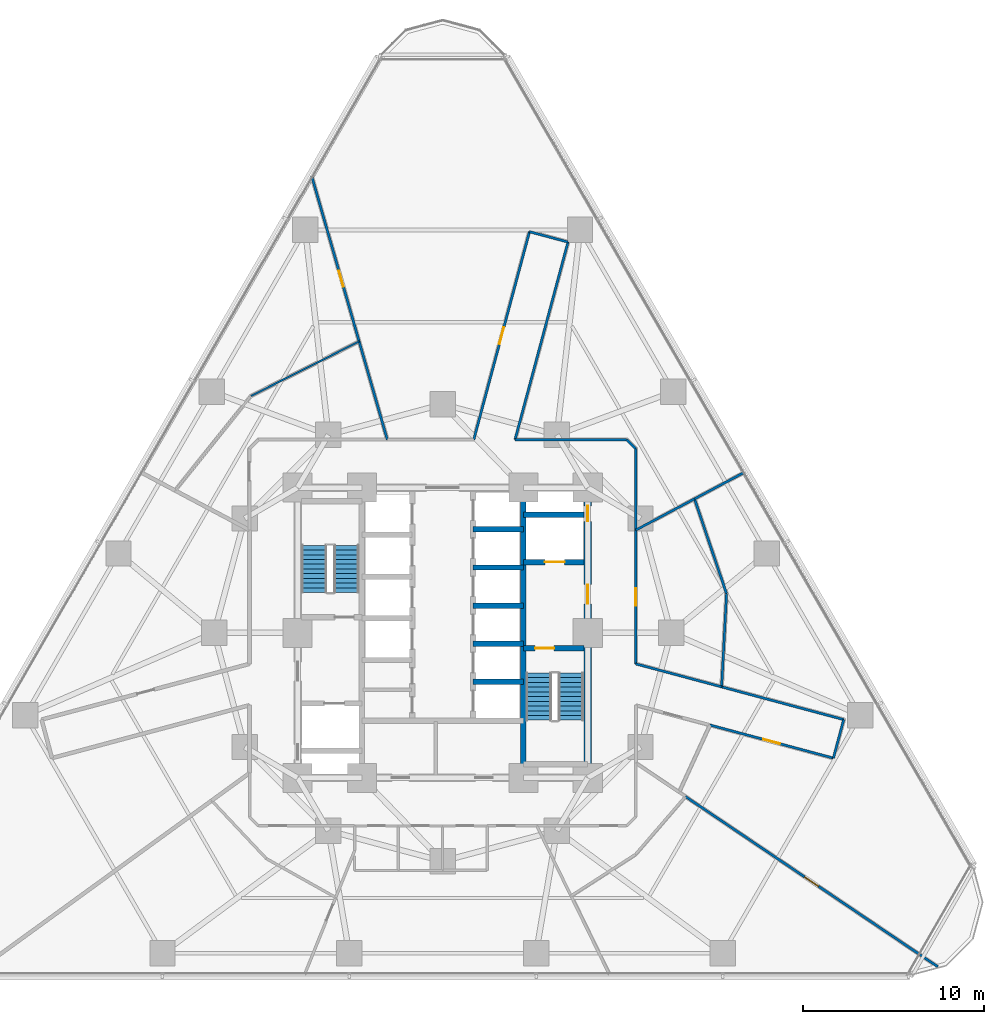
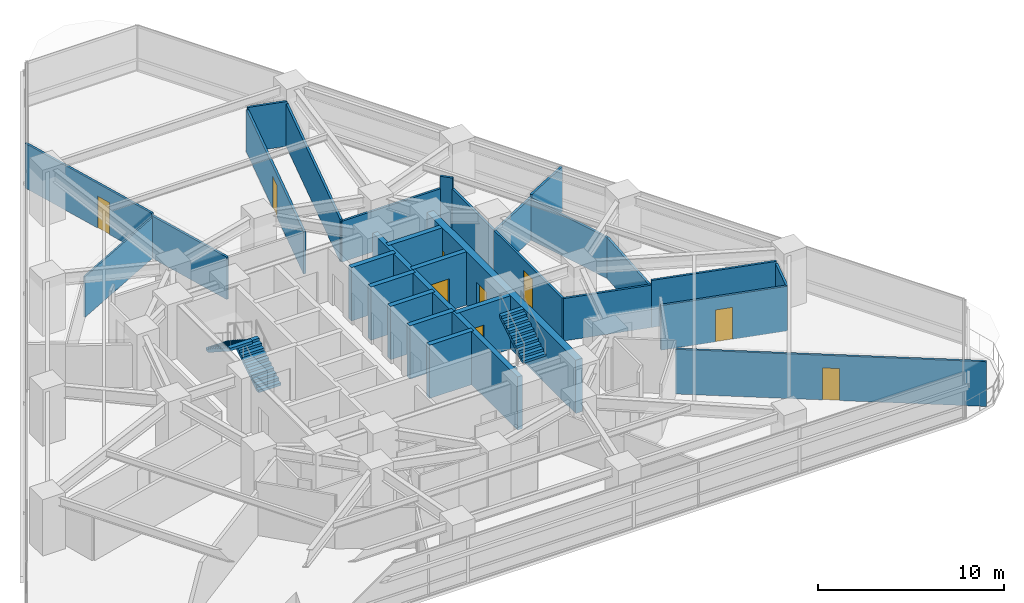
# One storey, part 10 of 16: 29 walls, 9 doors, 4 stair flights, 9 openings, 2 elements without a shape of their own.
"""IFC4 building model written with IfcOpenShell, lengths in metres."""

from ifc_helpers import new_model, si_unit, direction, frame, frame_2d, origin, place, context, subcontext, project, spatial, polyline, rectangle, outline, extrude, material, layer, layer_set, type_object, element, fill, aggregate, save


model = new_model("IFC4")

# Units and contexts
model_context = context("Model", 3, precision=1e-05, world=origin(), true_north=direction((0.0, 1.0)))
body_context = subcontext(model_context, "Body", "Model", "MODEL_VIEW")
ifc_project = project(units=[si_unit("LENGTHUNIT", "METRE"), si_unit("AREAUNIT", "SQUARE_METRE"), si_unit("VOLUMEUNIT", "CUBIC_METRE"), si_unit("PLANEANGLEUNIT", "RADIAN"), si_unit("MASSUNIT", "GRAM", prefix="KILO")], contexts=[model_context])

# Site, building, storey
site_placement = place(None, origin())
site = spatial("IfcSite", under=ifc_project, at=site_placement, CompositionType="ELEMENT")
building_placement = place(site_placement, origin())
building = spatial("IfcBuilding", under=site, at=building_placement, Name="Terralouvre Media Tower", CompositionType="ELEMENT")
storey_placement = place(building_placement, frame((0.0, 0.0, 37.10009765625)))
storey = spatial("IfcBuildingStorey", under=building, at=storey_placement, Name="L08", CompositionType="ELEMENT", Elevation=37.10009765625)

# Wall
ifc_material_1 = material(Name="Concrete C50/60", Category="concrete")
ifc_layer_1 = layer(ifc_material_1, 0.300048828125, Name="Core Internal Shaft Wall CW-300")
ifc_layer_set_1 = layer_set([ifc_layer_1], Name="Concrete C50/60")
wall_type_1 = type_object("IfcWallType", Name="Core Internal Shaft Wall CW-300", PredefinedType="SHEAR", material=ifc_layer_set_1)
wall_1_placement = place(storey_placement, frame((4.449951171875, -7.7900390625, 0.0), z_axis=(0.0, 0.0, 1.0), x_axis=(0.0, 1.0, 0.0)))
element("IfcWall", 1, at=wall_1_placement, inside=storey, type_object=wall_type_1, Name="L08 Core Shaft Wall SPE", PredefinedType="SHEAR", context=body_context, shape_type="SweptSolid", body=[
    extrude(rectangle(XDim=15.580078125, YDim=0.300048828125, at=frame_2d((7.7900390625, 0.0))), origin(), (0.0, 0.0, 1.0), 3.5),
])

# Wall, opening, door
wall_2_placement = place(storey_placement, frame((4.449951171875, -0.85009765625, 0.0), z_axis=(0.0, 0.0, 1.0), x_axis=(1.0, 0.0, 0.0)))
wall_2 = element("IfcWall", 2, at=wall_2_placement, inside=storey, type_object=wall_type_1, Name="L08 Core Shaft Wall ST2D", PredefinedType="SHEAR", context=body_context, shape_type="SweptSolid", body=[
    extrude(rectangle(XDim=3.340087890625, YDim=0.300048828125, at=frame_2d((1.669921875, 0.0))), origin(), (0.0, 0.0, 1.0), 3.5),
])
opening_1_placement = place(wall_2_placement, frame((0.64990234375, 0.0, 0.0)))
opening_1 = element("IfcOpeningElement", 3, at=opening_1_placement, cuts=wall_2, Name="Opening FD-01-105X215", PredefinedType="OPENING", context=body_context, shape_type="SweptSolid", body=[
    extrude(rectangle(XDim=1.050048828125, YDim=2.14990234375, at=frame_2d((0.52490234375, 1.074951171875))), frame((0.0, 0.159912109375, 0.0), z_axis=(0.0, -1.0, 0.0), x_axis=(1.0, 0.0, 0.0)), (0.0, 0.0, 1.0), 0.320068359375),
])
ifc_material_2 = material(Name="Galvanised steel fire-resisting leaf", Category="steel")
door_type_1 = type_object("IfcDoorType", Name="Stair and Firefighting Lobby Fire Door FD-01 (1050x2150)", OperationType="NOTDEFINED", PredefinedType="DOOR", material=ifc_material_2)
door_1_placement = place(opening_1_placement, origin())
door_1 = element("IfcDoor", 4, at=door_1_placement, inside=storey, type_object=door_type_1, Name="L08 ST-02 Exit Stair Door", OperationType="SINGLE_SWING_RIGHT", OverallHeight=2.14990234375, OverallWidth=1.050048828125, PredefinedType="DOOR", context=body_context, shape_type="SweptSolid", body=[
    extrude(rectangle(XDim=1.050048828125, YDim=2.14990234375, at=frame_2d((0.52490234375, 1.074951171875))), frame((0.0, 0.02490234375, 0.0), z_axis=(0.0, -1.0, 0.0), x_axis=(1.0, 0.0, 0.0)), (0.0, 0.0, 1.0), 0.050048828125),
])
fill(opening_1, door_1)

wall_3_placement = place(storey_placement, frame((4.449951171875, 3.89990234375, 0.0), z_axis=(0.0, 0.0, 1.0), x_axis=(1.0, 0.0, 0.0)))
wall_3 = element("IfcWall", 5, at=wall_3_placement, inside=storey, type_object=wall_type_1, Name="L08 Core Shaft Wall FF2S", PredefinedType="SHEAR", context=body_context, shape_type="SweptSolid", body=[
    extrude(rectangle(XDim=3.340087890625, YDim=0.300048828125, at=frame_2d((1.669921875, 0.0))), origin(), (0.0, 0.0, 1.0), 3.5),
])
opening_2_placement = place(wall_3_placement, frame((1.179931640625, 0.0, 0.0)))
opening_2 = element("IfcOpeningElement", 6, at=opening_2_placement, cuts=wall_3, Name="Opening LD-FF", PredefinedType="OPENING", context=body_context, shape_type="SweptSolid", body=[
    extrude(rectangle(XDim=1.10009765625, YDim=2.10009765625, at=frame_2d((0.550048828125, 1.050048828125))), frame((0.0, 0.159912109375, 0.0), z_axis=(0.0, -1.0, 0.0), x_axis=(1.0, 0.0, 0.0)), (0.0, 0.0, 1.0), 0.320068359375),
])
ifc_material_3 = material(Name="Stainless steel 316 handrail and balustrade", Category="steel")
door_type_2 = type_object("IfcDoorType", Name="Firefighting Lift Sliding Landing Door LD-FF", OperationType="SLIDING_TO_LEFT", PredefinedType="DOOR", material=ifc_material_3)
door_2_placement = place(opening_2_placement, origin())
door_2 = element("IfcDoor", 7, at=door_2_placement, inside=storey, type_object=door_type_2, Name="L08 Firefighting Lift FFL-02 Landing Door", OperationType="SLIDING_TO_LEFT", OverallHeight=2.10009765625, OverallWidth=1.10009765625, PredefinedType="DOOR", context=body_context, shape_type="SweptSolid", body=[
    extrude(rectangle(XDim=1.10009765625, YDim=2.10009765625, at=frame_2d((0.550048828125, 1.050048828125))), frame((0.0, 0.02490234375, 0.0), z_axis=(0.0, -1.0, 0.0), x_axis=(1.0, 0.0, 0.0)), (0.0, 0.0, 1.0), 0.050048828125),
])
fill(opening_2, door_2)

# Walls
wall_4_placement = place(storey_placement, frame((4.449951171875, 6.5, 0.0), z_axis=(0.0, 0.0, 1.0), x_axis=(1.0, 0.0, 0.0)))
element("IfcWall", 8, at=wall_4_placement, inside=storey, type_object=wall_type_1, Name="L08 Core Shaft Wall FF2N", PredefinedType="SHEAR", context=body_context, shape_type="SweptSolid", body=[
    extrude(rectangle(XDim=3.340087890625, YDim=0.300048828125, at=frame_2d((1.669921875, 0.0))), origin(), (0.0, 0.0, 1.0), 3.5),
])
for number, where, z_axis, x_axis, name in (
    (9, (1.679931640625, 1.5, 0.0), (0.0, 0.0, 1.0), (1.0, 0.0, 0.0), "L08 Core Shaft Wall PLMD0"),
    (10, (1.679931640625, 3.60009765625, 0.0), (0.0, 0.0, 1.0), (1.0, 0.0, 0.0), "L08 Core Shaft Wall PLMD1"),
    (11, (1.679931640625, 5.699951171875, 0.0), (0.0, 0.0, 1.0), (1.0, 0.0, 0.0), "L08 Core Shaft Wall PLMD2"),
    (12, (1.679931640625, -2.699951171875, 0.0), (0.0, 0.0, 1.0), (1.0, 0.0, 0.0), "L08 Core Shaft Wall PLHD1"),
    (13, (1.679931640625, -0.60009765625, 0.0), (0.0, 0.0, 1.0), (1.0, 0.0, 0.0), "L08 Core Shaft Wall PLHD2"),
):
    element("IfcWall", number, at=place(storey_placement, frame(where, z_axis=z_axis, x_axis=x_axis)), inside=storey, type_object=wall_type_1, Name=name, PredefinedType="SHEAR", context=body_context, shape_type="SweptSolid", body=[
        extrude(rectangle(XDim=2.77001953125, YDim=0.300048828125, at=frame_2d((1.385009765625, 0.0))), origin(), (0.0, 0.0, 1.0), 3.5),
    ])

# Wall, openings, doors
ifc_material_4 = material(Name="Concrete C60/75", Category="concrete")
ifc_layer_2 = layer(ifc_material_4, 0.419921875, Name="Core Reinforced Concrete Shear Wall CW-420")
ifc_layer_set_2 = layer_set([ifc_layer_2], Name="Concrete C60/75")
wall_type_2 = type_object("IfcWallType", Name="Core Reinforced Concrete Shear Wall CW-420", PredefinedType="SHEAR", material=ifc_layer_set_2)
wall_5_placement = place(storey_placement, frame((8.0, -8.0, 0.0), z_axis=(0.0, 0.0, 1.0), x_axis=(0.0, 1.0, 0.0)))
wall_5 = element("IfcWall", 14, at=wall_5_placement, inside=storey, type_object=wall_type_2, Name="L08 E Core Shear Wall", PredefinedType="SHEAR", context=body_context, shape_type="SweptSolid", body=[
    extrude(rectangle(XDim=16.0, YDim=0.419921875, at=frame_2d((8.0, 0.0))), origin(), (0.0, 0.0, 1.0), 3.5),
])
opening_3_placement = place(wall_5_placement, frame((9.60009765625, 0.0, 0.0)))
opening_3 = element("IfcOpeningElement", 15, at=opening_3_placement, cuts=wall_5, Name="Opening FD-01-105X215", PredefinedType="OPENING", context=body_context, shape_type="SweptSolid", body=[
    extrude(rectangle(XDim=1.050048828125, YDim=2.14990234375, at=frame_2d((0.52490234375, 1.074951171875))), frame((0.0, 0.219970703125, 0.0), z_axis=(0.0, -1.0, 0.0), x_axis=(1.0, 0.0, 0.0)), (0.0, 0.0, 1.0), 0.43994140625),
])
opening_4_placement = place(wall_5_placement, frame((14.148193359375, 0.0, 0.0)))
opening_4 = element("IfcOpeningElement", 16, at=opening_4_placement, cuts=wall_5, Name="Opening TD-R1", PredefinedType="OPENING", context=body_context, shape_type="SweptSolid", body=[
    extrude(rectangle(XDim=0.85009765625, YDim=2.02001953125, at=frame_2d((0.425048828125, 1.010009765625))), frame((0.0, 0.219970703125, 0.0), z_axis=(0.0, -1.0, 0.0), x_axis=(1.0, 0.0, 0.0)), (0.0, 0.0, 1.0), 0.43994140625),
])
ifc_material_5 = material(Name="Galvanised steel fire-resisting leaf", Category="steel")
door_type_3 = type_object("IfcDoorType", Name="Riser Inspection Access Trapdoor TD-R1", OperationType="NOTDEFINED", PredefinedType="TRAPDOOR", material=ifc_material_5)
door_3_placement = place(opening_4_placement, origin())
door_3 = element("IfcDoor", 17, at=door_3_placement, inside=storey, type_object=door_type_3, Name="L08 East Comms Riser Access Trapdoor", OperationType="SINGLE_SWING_RIGHT", OverallHeight=2.02001953125, OverallWidth=0.85009765625, PredefinedType="TRAPDOOR", context=body_context, shape_type="SweptSolid", body=[
    extrude(rectangle(XDim=0.85009765625, YDim=2.02001953125, at=frame_2d((0.425048828125, 1.010009765625))), frame((0.0, 0.02490234375, 0.0), z_axis=(0.0, -1.0, 0.0), x_axis=(1.0, 0.0, 0.0)), (0.0, 0.0, 1.0), 0.050048828125),
])
fill(opening_4, door_3)
door_4_placement = place(opening_3_placement, origin())
door_4 = element("IfcDoor", 18, at=door_4_placement, inside=storey, type_object=door_type_1, Name="L08 East Firefighting Lobby Entry Door", OperationType="SINGLE_SWING_LEFT", OverallHeight=2.14990234375, OverallWidth=1.050048828125, PredefinedType="DOOR", context=body_context, shape_type="SweptSolid", body=[
    extrude(rectangle(XDim=1.050048828125, YDim=2.14990234375, at=frame_2d((0.52490234375, 1.074951171875))), frame((0.0, 0.02490234375, 0.0), z_axis=(0.0, -1.0, 0.0), x_axis=(1.0, 0.0, 0.0)), (0.0, 0.0, 1.0), 0.050048828125),
])
fill(opening_3, door_4)

# Walls
ifc_material_6 = material(Name="Low-iron laminated double glazing with solar-control coating", Category="glass")
ifc_layer_3 = layer(ifc_material_6, 0.10009765625, Name="Demountable Glazed Office Partition PT-GL100")
ifc_layer_set_3 = layer_set([ifc_layer_3], Name="Low-iron laminated double glazing with solar-control coating")
wall_type_3 = type_object("IfcWallType", Name="Demountable Glazed Office Partition PT-GL100", PredefinedType="MOVABLE", material=ifc_layer_set_3)
wall_6_placement = place(storey_placement, frame((-10.572998046875, 13.055908203125, 0.0), z_axis=(0.0, 0.0, 1.0), x_axis=(0.893012396789, 0.450032064615, 0.0)))
element("IfcWall", 19, at=wall_6_placement, inside=storey, type_object=wall_type_3, Name="L08 Interior Partition 064", PredefinedType="MOVABLE", context=body_context, shape_type="SweptSolid", body=[
    extrude(rectangle(XDim=6.681884765625, YDim=0.10009765625, at=frame_2d((3.3408203125, 0.0))), origin(), (0.0, 0.0, 1.0), 2.684814453125),
])
ifc_material_7 = material(Name="Fire-rated gypsum board drywall partition")
ifc_layer_4 = layer(ifc_material_7, 0.135009765625, Name="Newsroom Acoustic Partition PT-135")
ifc_layer_set_4 = layer_set([ifc_layer_4], Name="Fire-rated gypsum board drywall partition")
wall_type_4 = type_object("IfcWallType", Name="Newsroom Acoustic Partition PT-135", PredefinedType="PARTITIONING", material=ifc_layer_set_4)
wall_7_placement = place(storey_placement, frame((10.64990234375, 5.6630859375, 0.0), z_axis=(0.0, 0.0, 1.0), x_axis=(0.0, 1.0, 0.0)))
element("IfcWall", 20, at=wall_7_placement, inside=storey, type_object=wall_type_4, Name="L08 Interior Partition 001", PredefinedType="PARTITIONING", context=body_context, shape_type="SweptSolid", body=[
    extrude(rectangle(XDim=4.48681640625, YDim=0.135009765625, at=frame_2d((2.243408203125, 0.0))), origin(), (0.0, 0.0, 1.0), 2.784912109375),
])
wall_8_placement = place(storey_placement, frame((10.64990234375, 10.14990234375, 0.0), z_axis=(0.0, 0.0, 1.0), x_axis=(-0.707106781187, 0.707106781187, 0.0)))
element("IfcWall", 21, at=wall_8_placement, inside=storey, type_object=wall_type_4, Name="L08 Interior Partition 002", PredefinedType="PARTITIONING", context=body_context, shape_type="SweptSolid", body=[
    extrude(rectangle(XDim=0.70703125, YDim=0.135009765625, at=frame_2d((0.353515625, 0.0))), origin(), (0.0, 0.0, 1.0), 3.5),
])
wall_9_placement = place(storey_placement, frame((10.14990234375, 10.64990234375, 0.0), z_axis=(0.0, 0.0, 1.0), x_axis=(-1.0, 0.0, 0.0)))
element("IfcWall", 22, at=wall_9_placement, inside=storey, type_object=wall_type_4, Name="L08 Interior Partition 003", PredefinedType="PARTITIONING", context=body_context, shape_type="SweptSolid", body=[
    extrude(rectangle(XDim=6.157958984375, YDim=0.135009765625, at=frame_2d((3.0791015625, 0.0))), origin(), (0.0, 0.0, 1.0), 2.684814453125),
])
wall_10_placement = place(storey_placement, frame((3.991943359375, 10.64990234375, 0.0), z_axis=(0.0, 0.0, 1.0), x_axis=(0.258889712088, 0.965906888357, 0.0)))
element("IfcWall", 23, at=wall_10_placement, inside=storey, type_object=wall_type_4, Name="L08 Interior Partition 004", PredefinedType="PARTITIONING", context=body_context, shape_type="SweptSolid", body=[
    extrude(rectangle(XDim=11.279541015625, YDim=0.135009765625, at=frame_2d((5.6396484375, 0.0))), origin(), (0.0, 0.0, 1.0), 2.784912109375),
])
wall_11_placement = place(storey_placement, frame((6.912109375, 21.544921875, 0.0), z_axis=(0.0, 0.0, 1.0), x_axis=(-0.965848933329, 0.259105843213, 0.0)))
element("IfcWall", 24, at=wall_11_placement, inside=storey, type_object=wall_type_4, Name="L08 Interior Partition 005", PredefinedType="PARTITIONING", context=body_context, shape_type="SweptSolid", body=[
    extrude(rectangle(XDim=2.2001953125, YDim=0.135009765625, at=frame_2d((1.10009765625, 0.0))), origin(), (0.0, 0.0, 1.0), 2.934814453125),
])

# Wall, opening, door
wall_12_placement = place(storey_placement, frame((4.787109375, 22.114990234375, 0.0), z_axis=(0.0, 0.0, 1.0), x_axis=(-0.258815935688, -0.965926659449, 0.0)))
wall_12 = element("IfcWall", 25, at=wall_12_placement, inside=storey, type_object=wall_type_4, Name="L08 Interior Partition 006", PredefinedType="PARTITIONING", context=body_context, shape_type="SweptSolid", body=[
    extrude(rectangle(XDim=11.86962890625, YDim=0.135009765625, at=frame_2d((5.934814453125, 0.0))), origin(), (0.0, 0.0, 1.0), 2.784912109375),
])
opening_5_placement = place(wall_12_placement, frame((5.459716796875, 0.0, 0.0)))
opening_5 = element("IfcOpeningElement", 26, at=opening_5_placement, cuts=wall_12, Name="Opening ID-02-95X210", PredefinedType="OPENING", context=body_context, shape_type="SweptSolid", body=[
    extrude(rectangle(XDim=0.949951171875, YDim=2.10009765625, at=frame_2d((0.47509765625, 1.050048828125))), frame((0.0, 0.077392578125, 0.0), z_axis=(0.0, -1.0, 0.0), x_axis=(1.0, 0.0, 0.0)), (0.0, 0.0, 1.0), 0.155029296875),
])
ifc_material_8 = material(Name="Engineered hardwood acoustic timber leaf", Category="wood")
door_type_4 = type_object("IfcDoorType", Name="Office and Meeting Room Door ID-02 (950x2100)", OperationType="NOTDEFINED", PredefinedType="DOOR", material=ifc_material_8)
door_5_placement = place(opening_5_placement, origin())
door_5 = element("IfcDoor", 27, at=door_5_placement, inside=storey, type_object=door_type_4, Name="L08 Broadcast Floor Crew Room 1 Door", OperationType="SINGLE_SWING_RIGHT", OverallHeight=2.10009765625, OverallWidth=0.949951171875, PredefinedType="DOOR", context=body_context, shape_type="SweptSolid", body=[
    extrude(rectangle(XDim=0.949951171875, YDim=2.10009765625, at=frame_2d((0.47509765625, 1.050048828125))), frame((0.0, 0.02490234375, 0.0), z_axis=(0.0, -1.0, 0.0), x_axis=(1.0, 0.0, 0.0)), (0.0, 0.0, 1.0), 0.050048828125),
])
fill(opening_5, door_5)

wall_13_placement = place(storey_placement, frame((14.739990234375, -5.087890625, 0.0), z_axis=(0.0, 0.0, 1.0), x_axis=(0.965895912523, -0.258930659002, 0.0)))
wall_13 = element("IfcWall", 28, at=wall_13_placement, inside=storey, type_object=wall_type_4, Name="L08 Interior Partition 015", PredefinedType="PARTITIONING", context=body_context, shape_type="SweptSolid", body=[
    extrude(rectangle(XDim=7.045166015625, YDim=0.135009765625, at=frame_2d((3.5224609375, 0.0))), origin(), (0.0, 0.0, 1.0), 2.934814453125),
])
opening_6_placement = place(wall_13_placement, frame((3.047607421875, 0.0, 0.0)))
opening_6 = element("IfcOpeningElement", 29, at=opening_6_placement, cuts=wall_13, Name="Opening ID-02-95X210", PredefinedType="OPENING", context=body_context, shape_type="SweptSolid", body=[
    extrude(rectangle(XDim=0.949951171875, YDim=2.10009765625, at=frame_2d((0.47509765625, 1.050048828125))), frame((0.0, 0.077392578125, 0.0), z_axis=(0.0, -1.0, 0.0), x_axis=(1.0, 0.0, 0.0)), (0.0, 0.0, 1.0), 0.155029296875),
])
door_6_placement = place(opening_6_placement, origin())
door_6 = element("IfcDoor", 30, at=door_6_placement, inside=storey, type_object=door_type_4, Name="L08 Creative Set Workshop 4 Door", OperationType="SINGLE_SWING_LEFT", OverallHeight=2.10009765625, OverallWidth=0.949951171875, PredefinedType="DOOR", context=body_context, shape_type="SweptSolid", body=[
    extrude(rectangle(XDim=0.949951171875, YDim=2.10009765625, at=frame_2d((0.47509765625, 1.050048828125))), frame((0.0, 0.02490234375, 0.0), z_axis=(0.0, -1.0, 0.0), x_axis=(1.0, 0.0, 0.0)), (0.0, 0.0, 1.0), 0.050048828125),
])
fill(opening_6, door_6)

# Walls
wall_14_placement = place(storey_placement, frame((21.544921875, -6.912109375, 0.0), z_axis=(0.0, 0.0, 1.0), x_axis=(0.259105843213, 0.965848933329, 0.0)))
element("IfcWall", 31, at=wall_14_placement, inside=storey, type_object=wall_type_4, Name="L08 Interior Partition 016", PredefinedType="PARTITIONING", context=body_context, shape_type="SweptSolid", body=[
    extrude(rectangle(XDim=2.2001953125, YDim=0.135009765625, at=frame_2d((1.10009765625, 0.0))), origin(), (0.0, 0.0, 1.0), 2.934814453125),
])
wall_15_placement = place(storey_placement, frame((22.114990234375, -4.787109375, 0.0), z_axis=(0.0, 0.0, 1.0), x_axis=(-0.965912084765, 0.258870323726, 0.0)))
element("IfcWall", 32, at=wall_15_placement, inside=storey, type_object=wall_type_4, Name="L08 Interior Partition 017", PredefinedType="PARTITIONING", context=body_context, shape_type="SweptSolid", body=[
    extrude(rectangle(XDim=6.969482421875, YDim=0.135009765625, at=frame_2d((3.48486328125, 0.0))), origin(), (0.0, 0.0, 1.0), 3.0849609375),
])
wall_16_placement = place(storey_placement, frame((15.383056640625, -2.98291015625, 0.0), z_axis=(0.0, 0.0, 1.0), x_axis=(-0.965947384406, 0.258738575706, 0.0)))
element("IfcWall", 33, at=wall_16_placement, inside=storey, type_object=wall_type_4, Name="L08 Interior Partition 018", PredefinedType="PARTITIONING", context=body_context, shape_type="SweptSolid", body=[
    extrude(rectangle(XDim=4.89990234375, YDim=0.135009765625, at=frame_2d((2.449951171875, 0.0))), origin(), (0.0, 0.0, 1.0), 2.784912109375),
])

# Wall, opening, door
wall_17_placement = place(storey_placement, frame((10.64990234375, -1.715087890625, 0.0), z_axis=(0.0, 0.0, 1.0), x_axis=(0.0, 1.0, 0.0)))
wall_17 = element("IfcWall", 34, at=wall_17_placement, inside=storey, type_object=wall_type_4, Name="L08 Interior Partition 019", PredefinedType="PARTITIONING", context=body_context, shape_type="SweptSolid", body=[
    extrude(rectangle(XDim=7.378173828125, YDim=0.135009765625, at=frame_2d((3.68896484375, 0.0))), origin(), (0.0, 0.0, 1.0), 2.784912109375),
])
opening_7_placement = place(wall_17_placement, frame((3.214111328125, 0.0, 0.0)))
opening_7 = element("IfcOpeningElement", 35, at=opening_7_placement, cuts=wall_17, Name="Opening ID-02-95X210", PredefinedType="OPENING", context=body_context, shape_type="SweptSolid", body=[
    extrude(rectangle(XDim=0.949951171875, YDim=2.10009765625, at=frame_2d((0.47509765625, 1.050048828125))), frame((0.0, 0.077392578125, 0.0), z_axis=(0.0, -1.0, 0.0), x_axis=(1.0, 0.0, 0.0)), (0.0, 0.0, 1.0), 0.155029296875),
])
door_7_placement = place(opening_7_placement, origin())
door_7 = element("IfcDoor", 36, at=door_7_placement, inside=storey, type_object=door_type_4, Name="L08 Editorial Collaborative Open Office 5 Door", OperationType="SINGLE_SWING_RIGHT", OverallHeight=2.10009765625, OverallWidth=0.949951171875, PredefinedType="DOOR", context=body_context, shape_type="SweptSolid", body=[
    extrude(rectangle(XDim=0.949951171875, YDim=2.10009765625, at=frame_2d((0.47509765625, 1.050048828125))), frame((0.0, 0.02490234375, 0.0), z_axis=(0.0, -1.0, 0.0), x_axis=(1.0, 0.0, 0.0)), (0.0, 0.0, 1.0), 0.050048828125),
])
fill(opening_7, door_7)

# Walls
wall_18_placement = place(storey_placement, frame((13.885986328125, 7.383056640625, 0.0), z_axis=(0.0, 0.0, 1.0), x_axis=(0.88293033741, 0.469504014126, 0.0)))
element("IfcWall", 37, at=wall_18_placement, inside=storey, type_object=wall_type_4, Name="L08 Interior Partition 033", PredefinedType="PARTITIONING", context=body_context, shape_type="SweptSolid", body=[
    extrude(rectangle(XDim=3.12158203125, YDim=0.135009765625, at=frame_2d((1.560791015625, 0.0))), origin(), (0.0, 0.0, 1.0), 2.934814453125),
])
wall_19_placement = place(storey_placement, frame((10.64990234375, 5.6630859375, 0.0), z_axis=(0.0, 0.0, 1.0), x_axis=(0.88302513666, 0.469325695041, 0.0)))
element("IfcWall", 38, at=wall_19_placement, inside=storey, type_object=wall_type_4, Name="L08 Interior Partition 034", PredefinedType="PARTITIONING", context=body_context, shape_type="SweptSolid", body=[
    extrude(rectangle(XDim=3.664794921875, YDim=0.135009765625, at=frame_2d((1.83251953125, 0.0))), origin(), (0.0, 0.0, 1.0), 2.784912109375),
])

# Wall, opening, door
wall_20_placement = place(storey_placement, frame((-7.21826171875, 25.171142578125, 0.0), z_axis=(0.0, 0.0, 1.0), x_axis=(0.275694254482, -0.961245378686, 0.0)))
wall_20 = element("IfcWall", 39, at=wall_20_placement, inside=storey, type_object=wall_type_4, Name="L08 Interior Partition 035", PredefinedType="PARTITIONING", context=body_context, shape_type="SweptSolid", body=[
    extrude(rectangle(XDim=9.475341796875, YDim=0.135009765625, at=frame_2d((4.73779296875, 0.0))), origin(), (0.0, 0.0, 1.0), 2.934814453125),
])
opening_8_placement = place(wall_20_placement, frame((5.414794921875, 0.0, 0.0)))
opening_8 = element("IfcOpeningElement", 40, at=opening_8_placement, cuts=wall_20, Name="Opening ID-03-92X210", PredefinedType="OPENING", context=body_context, shape_type="SweptSolid", body=[
    extrude(rectangle(XDim=0.919921875, YDim=2.10009765625, at=frame_2d((0.4599609375, 1.050048828125))), frame((0.0, 0.077392578125, 0.0), z_axis=(0.0, -1.0, 0.0), x_axis=(1.0, 0.0, 0.0)), (0.0, 0.0, 1.0), 0.155029296875),
])
ifc_material_9 = material(Name="Engineered hardwood acoustic timber leaf", Category="wood")
door_type_5 = type_object("IfcDoorType", Name="Accessible Restroom and Suite Door ID-03 (920x2100)", OperationType="NOTDEFINED", PredefinedType="DOOR", material=ifc_material_9)
door_8_placement = place(opening_8_placement, origin())
door_8 = element("IfcDoor", 41, at=door_8_placement, inside=storey, type_object=door_type_5, Name="L08 Script Readout Seminar Room 11 Door", OperationType="SINGLE_SWING_RIGHT", OverallHeight=2.10009765625, OverallWidth=0.919921875, PredefinedType="DOOR", context=body_context, shape_type="SweptSolid", body=[
    extrude(rectangle(XDim=0.919921875, YDim=2.10009765625, at=frame_2d((0.4599609375, 1.050048828125))), frame((0.0, 0.02490234375, 0.0), z_axis=(0.0, -1.0, 0.0), x_axis=(1.0, 0.0, 0.0)), (0.0, 0.0, 1.0), 0.050048828125),
])
fill(opening_8, door_8)

# Walls
wall_21_placement = place(storey_placement, frame((-4.60595703125, 16.06298828125, 0.0), z_axis=(0.0, 0.0, 1.0), x_axis=(0.275608564, -0.961269951392, 0.0)))
element("IfcWall", 42, at=wall_21_placement, inside=storey, type_object=wall_type_4, Name="L08 Interior Partition 036", PredefinedType="PARTITIONING", context=body_context, shape_type="SweptSolid", body=[
    extrude(rectangle(XDim=5.631103515625, YDim=0.135009765625, at=frame_2d((2.8154296875, 0.0))), origin(), (0.0, 0.0, 1.0), 2.784912109375),
])
wall_22_placement = place(storey_placement, frame((13.885986328125, 7.383056640625, 0.0), z_axis=(0.0, 0.0, 1.0), x_axis=(0.320099223205, -0.947384023141, 0.0)))
element("IfcWall", 43, at=wall_22_placement, inside=storey, type_object=wall_type_4, Name="L08 Interior Partition 043", PredefinedType="PARTITIONING", context=body_context, shape_type="SweptSolid", body=[
    extrude(rectangle(XDim=5.5205078125, YDim=0.135009765625, at=frame_2d((2.76025390625, 0.0))), origin(), (0.0, 0.0, 1.0), 2.684814453125),
])
wall_23_placement = place(storey_placement, frame((15.653076171875, 2.153076171875, 0.0), z_axis=(0.0, 0.0, 1.0), x_axis=(-0.05250152841, -0.998620843721, 0.0)))
element("IfcWall", 44, at=wall_23_placement, inside=storey, type_object=wall_type_4, Name="L08 Interior Partition 044", PredefinedType="PARTITIONING", context=body_context, shape_type="SweptSolid", body=[
    extrude(rectangle(XDim=5.14306640625, YDim=0.135009765625, at=frame_2d((2.571533203125, 0.0))), origin(), (0.0, 0.0, 1.0), 2.684814453125),
])

# Wall, opening, door
wall_24_placement = place(storey_placement, frame((13.384033203125, -9.028076171875, 0.0), z_axis=(0.0, 0.0, 1.0), x_axis=(0.829042972493, -0.55918489765, 0.0)))
wall_24 = element("IfcWall", 45, at=wall_24_placement, inside=storey, type_object=wall_type_4, Name="L08 Interior Partition 046", PredefinedType="PARTITIONING", context=body_context, shape_type="SweptSolid", body=[
    extrude(rectangle(XDim=16.791259765625, YDim=0.135009765625, at=frame_2d((8.3955078125, 0.0))), origin(), (0.0, 0.0, 1.0), 2.934814453125),
])
opening_9_placement = place(wall_24_placement, frame((7.935546875, 0.0, 0.0)))
opening_9 = element("IfcOpeningElement", 46, at=opening_9_placement, cuts=wall_24, Name="Opening ID-03-92X210", PredefinedType="OPENING", context=body_context, shape_type="SweptSolid", body=[
    extrude(rectangle(XDim=0.919921875, YDim=2.10009765625, at=frame_2d((0.4599609375, 1.050048828125))), frame((0.0, 0.077392578125, 0.0), z_axis=(0.0, -1.0, 0.0), x_axis=(1.0, 0.0, 0.0)), (0.0, 0.0, 1.0), 0.155029296875),
])
door_9_placement = place(opening_9_placement, origin())
door_9 = element("IfcDoor", 47, at=door_9_placement, inside=storey, type_object=door_type_5, Name="L08 Production Catering Galley 10 Door", OperationType="SINGLE_SWING_LEFT", OverallHeight=2.10009765625, OverallWidth=0.919921875, PredefinedType="DOOR", context=body_context, shape_type="SweptSolid", body=[
    extrude(rectangle(XDim=0.919921875, YDim=2.10009765625, at=frame_2d((0.4599609375, 1.050048828125))), frame((0.0, 0.02490234375, 0.0), z_axis=(0.0, -1.0, 0.0), x_axis=(1.0, 0.0, 0.0)), (0.0, 0.0, 1.0), 0.050048828125),
])
fill(opening_9, door_9)

# Stair, stair flights
ifc_material_10 = material(Name="Concrete C45/55", Category="concrete")
stair_type_1 = type_object("IfcStairType", Name="Dogleg Stair Assembly ST-01", PredefinedType="HALF_TURN_STAIR", material=ifc_material_10)
stair_1_placement = place(storey_placement, origin())
stair_1 = element("IfcStair", 48, at=stair_1_placement, inside=storey, type_object=stair_type_1, Name="L08 Core Pressurised Exit Stair ST-01", PredefinedType="HALF_TURN_STAIR")
ifc_material_11 = material(Name="Concrete C45/55", Category="concrete")
stair_flight_type = type_object("IfcStairFlightType", Name="Reinforced Concrete Stair Flight SF-RC1", PredefinedType="STRAIGHT", material=ifc_material_11)
stair_flight_1_placement = place(storey_placement, frame((-5.300048828125, 2.219970703125, 0.0), z_axis=(0.0, 0.0, 1.0), x_axis=(0.0, 1.0, 0.0)))
stair_flight_1 = element("IfcStairFlight", 49, at=stair_flight_1_placement, type_object=stair_flight_type, Name="ST-01 flight 1", NumberOfRisers=11, NumberOfTreads=10, PredefinedType="STRAIGHT", RiserHeight=0.168181818, TreadLength=0.26, context=body_context, shape_type="SweptSolid", body=[
    extrude(outline(polyline([(0.0, 0.0), (0.0, 0.168212890625), (0.260009765625, 0.168212890625), (0.260009765625, 0.33642578125), (0.52001953125, 0.33642578125), (0.52001953125, 0.504638671875), (0.780029296875, 0.504638671875), (0.780029296875, 0.672607421875), (1.0400390625, 0.672607421875), (1.0400390625, 0.8408203125), (1.300048828125, 0.8408203125), (1.300048828125, 1.009033203125), (1.56005859375, 1.009033203125), (1.56005859375, 1.17724609375), (1.820068359375, 1.17724609375), (1.820068359375, 1.345458984375), (2.080078125, 1.345458984375), (2.080078125, 1.513671875), (2.340087890625, 1.513671875), (2.340087890625, 1.681884765625), (2.60009765625, 1.681884765625), (2.60009765625, 1.85009765625), (2.60009765625, 1.503173828125), (0.27587890625, 0.0), (0.0, 0.0)])), frame((0.0, 0.699951171875, 0.0), z_axis=(0.0, -1.0, 0.0), x_axis=(1.0, 0.0, 0.0)), (0.0, 0.0, 1.0), 1.39990234375),
])
stair_flight_2_placement = place(storey_placement, frame((-7.080078125, 4.820068359375, 1.849853515625), z_axis=(0.0, 0.0, 1.0), x_axis=(0.0, -1.0, 0.0)))
stair_flight_2 = element("IfcStairFlight", 50, at=stair_flight_2_placement, type_object=stair_flight_type, Name="ST-01 flight 2", NumberOfRisers=11, NumberOfTreads=10, PredefinedType="STRAIGHT", RiserHeight=0.168181818, TreadLength=0.26, context=body_context, shape_type="SweptSolid", body=[
    extrude(outline(polyline([(0.0, 0.0), (0.0, 0.168212890625), (0.260009765625, 0.168212890625), (0.260009765625, 0.33642578125), (0.52001953125, 0.33642578125), (0.52001953125, 0.504638671875), (0.780029296875, 0.504638671875), (0.780029296875, 0.672607421875), (1.0400390625, 0.672607421875), (1.0400390625, 0.8408203125), (1.300048828125, 0.8408203125), (1.300048828125, 1.009033203125), (1.56005859375, 1.009033203125), (1.56005859375, 1.17724609375), (1.820068359375, 1.17724609375), (1.820068359375, 1.345458984375), (2.080078125, 1.345458984375), (2.080078125, 1.513671875), (2.340087890625, 1.513671875), (2.340087890625, 1.681884765625), (2.60009765625, 1.681884765625), (2.60009765625, 1.85009765625), (2.60009765625, 1.503173828125), (0.27587890625, 0.0), (0.0, 0.0)])), frame((0.0, 0.699951171875, 0.0), z_axis=(0.0, -1.0, 0.0), x_axis=(1.0, 0.0, 0.0)), (0.0, 0.0, 1.0), 1.39990234375),
])
aggregate(stair_1, [stair_flight_1, stair_flight_2])

ifc_material_12 = material(Name="Concrete C45/55", Category="concrete")
stair_type_2 = type_object("IfcStairType", Name="Dogleg Stair Assembly ST-02", PredefinedType="HALF_TURN_STAIR", material=ifc_material_12)
stair_2_placement = place(storey_placement, origin())
stair_2 = element("IfcStair", 51, at=stair_2_placement, inside=storey, type_object=stair_type_2, Name="L08 Core Pressurised Exit Stair ST-02", PredefinedType="HALF_TURN_STAIR")
stair_flight_3_placement = place(storey_placement, frame((5.300048828125, -2.219970703125, 0.0), z_axis=(0.0, 0.0, 1.0), x_axis=(0.0, -1.0, 0.0)))
stair_flight_3 = element("IfcStairFlight", 52, at=stair_flight_3_placement, type_object=stair_flight_type, Name="ST-02 flight 1", NumberOfRisers=11, NumberOfTreads=10, PredefinedType="STRAIGHT", RiserHeight=0.168181818, TreadLength=0.26, context=body_context, shape_type="SweptSolid", body=[
    extrude(outline(polyline([(0.0, 0.0), (0.0, 0.168212890625), (0.260009765625, 0.168212890625), (0.260009765625, 0.33642578125), (0.52001953125, 0.33642578125), (0.52001953125, 0.504638671875), (0.780029296875, 0.504638671875), (0.780029296875, 0.672607421875), (1.0400390625, 0.672607421875), (1.0400390625, 0.8408203125), (1.300048828125, 0.8408203125), (1.300048828125, 1.009033203125), (1.56005859375, 1.009033203125), (1.56005859375, 1.17724609375), (1.820068359375, 1.17724609375), (1.820068359375, 1.345458984375), (2.080078125, 1.345458984375), (2.080078125, 1.513671875), (2.340087890625, 1.513671875), (2.340087890625, 1.681884765625), (2.60009765625, 1.681884765625), (2.60009765625, 1.85009765625), (2.60009765625, 1.503173828125), (0.27587890625, 0.0), (0.0, 0.0)])), frame((0.0, 0.699951171875, 0.0), z_axis=(0.0, -1.0, 0.0), x_axis=(1.0, 0.0, 0.0)), (0.0, 0.0, 1.0), 1.39990234375),
])
stair_flight_4_placement = place(storey_placement, frame((7.080078125, -4.820068359375, 1.849853515625), z_axis=(0.0, 0.0, 1.0), x_axis=(0.0, 1.0, 0.0)))
stair_flight_4 = element("IfcStairFlight", 53, at=stair_flight_4_placement, type_object=stair_flight_type, Name="ST-02 flight 2", NumberOfRisers=11, NumberOfTreads=10, PredefinedType="STRAIGHT", RiserHeight=0.168181818, TreadLength=0.26, context=body_context, shape_type="SweptSolid", body=[
    extrude(outline(polyline([(0.0, 0.0), (0.0, 0.168212890625), (0.260009765625, 0.168212890625), (0.260009765625, 0.33642578125), (0.52001953125, 0.33642578125), (0.52001953125, 0.504638671875), (0.780029296875, 0.504638671875), (0.780029296875, 0.672607421875), (1.0400390625, 0.672607421875), (1.0400390625, 0.8408203125), (1.300048828125, 0.8408203125), (1.300048828125, 1.009033203125), (1.56005859375, 1.009033203125), (1.56005859375, 1.17724609375), (1.820068359375, 1.17724609375), (1.820068359375, 1.345458984375), (2.080078125, 1.345458984375), (2.080078125, 1.513671875), (2.340087890625, 1.513671875), (2.340087890625, 1.681884765625), (2.60009765625, 1.681884765625), (2.60009765625, 1.85009765625), (2.60009765625, 1.503173828125), (0.27587890625, 0.0), (0.0, 0.0)])), frame((0.0, 0.699951171875, 0.0), z_axis=(0.0, -1.0, 0.0), x_axis=(1.0, 0.0, 0.0)), (0.0, 0.0, 1.0), 1.39990234375),
])
aggregate(stair_2, [stair_flight_3, stair_flight_4])

save(model, "model.ifc")
